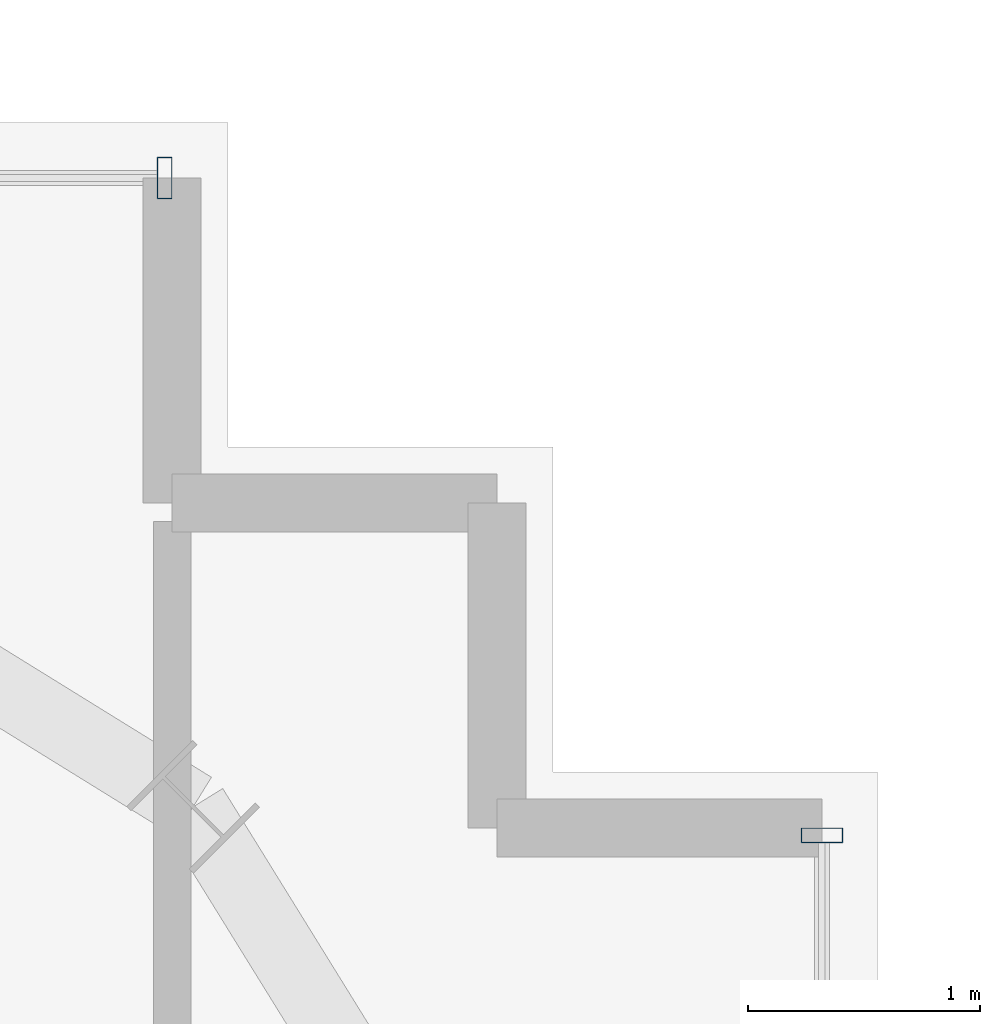
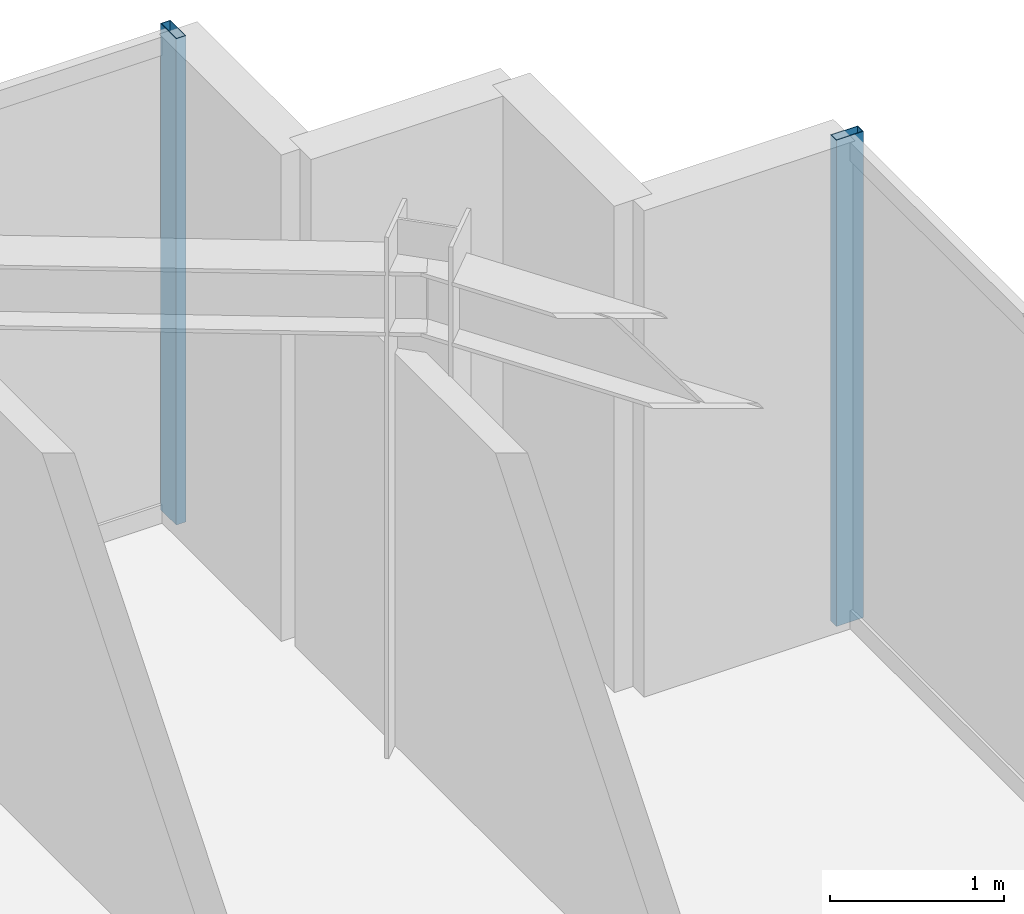
# One storey, part 28 of 36: 2 members, 2 elements without a shape of their own.
"""IFC4 building model written with IfcOpenShell, lengths in metres."""

from ifc_helpers import new_model, si_unit, direction, frame, origin, origin_2d, place, context, subcontext, project, spatial, hollow_rectangle, extrude, source, transform, mapped, material, material_profile, profile_set, type_object, element, aggregate, save


model = new_model("IFC4")

# Units and contexts
model_context = context("Model", 3, precision=1e-05, world=origin(), true_north=direction((0.0, 1.0)))
body_context = subcontext(model_context, "Body", "Model", "MODEL_VIEW")
ifc_project = project(units=[si_unit("LENGTHUNIT", "METRE"), si_unit("AREAUNIT", "SQUARE_METRE"), si_unit("VOLUMEUNIT", "CUBIC_METRE"), si_unit("PLANEANGLEUNIT", "RADIAN"), si_unit("MASSUNIT", "GRAM", prefix="KILO")], contexts=[model_context])

# Site, building, storey
site_placement = place(None, origin())
site = spatial("IfcSite", under=ifc_project, at=site_placement, CompositionType="ELEMENT")
building_placement = place(site_placement, origin())
building = spatial("IfcBuilding", under=site, at=building_placement, Name="Nahalor Promenade Grand Hotel", CompositionType="ELEMENT")
storey_placement = place(building_placement, frame((0.0, 0.0, 219.699951171875)))
storey = spatial("IfcBuildingStorey", under=building, at=storey_placement, Name="L56", CompositionType="ELEMENT", Elevation=219.699951171875)

# Curtain wall, member
ifc_material = material(Name="Anodised Bronze Aluminium EN AW-6063 T6", Category="aluminium")
curtain_wall_type = type_object("IfcCurtainWallType", Name="CW2 Typical Hotel Flush Bronze Unitised Curtain Wall", PredefinedType="USERDEFINED", material=ifc_material)
curtain_wall_1_placement = place(storey_placement, origin())
curtain_wall_1 = element("IfcCurtainWall", 1, at=curtain_wall_1_placement, inside=storey, type_object=curtain_wall_type, Name="L56 Curtain Wall CW-L56-N-3", ObjectType="UNITISED_CURTAIN_WALL", PredefinedType="USERDEFINED")
ifc_material_profile = material_profile(ifc_material, hollow_rectangle(XDim=0.065, YDim=0.18, WallThickness=0.004, at=origin_2d()), Name="CWM 65x180x4")
ifc_profile_set = profile_set([ifc_material_profile], Name="Anodised Bronze Aluminium EN AW-6063 T6")
member_type = type_object("IfcMemberType", Name="CWM2 Typical Bronze Mullion 65x180", PredefinedType="MULLION", material=ifc_profile_set)
shared_shape = source(origin(), body_context, "Body", "SweptSolid", [
    extrude(hollow_rectangle(XDim=0.065, YDim=0.18, WallThickness=0.004, at=origin_2d()), origin(), (0.0, 0.0, 1.0), 3.41015625),
])
member_1_placement = place(storey_placement, frame((21.12744140625, 23.9599609375, 0.0), z_axis=(0.0, 0.0, 1.0), x_axis=(1.0, 0.0, 0.0)))
member_1 = element("IfcMember", 2, at=member_1_placement, type_object=member_type, Name="CW-L56-N-3 Mullion 3", PredefinedType="MULLION", context=body_context, shape_type="MappedRepresentation", body=[
    mapped(shared_shape, transform((0.0, 0.0, 0.0), scale=1.0)),
])
aggregate(curtain_wall_1, [member_1])

curtain_wall_2_placement = place(storey_placement, origin())
curtain_wall_2 = element("IfcCurtainWall", 3, at=curtain_wall_2_placement, inside=storey, type_object=curtain_wall_type, Name="L56 Curtain Wall CW-L56-E-3", ObjectType="UNITISED_CURTAIN_WALL", PredefinedType="USERDEFINED")
member_2_placement = place(storey_placement, frame((23.9599609375, 21.12744140625, 0.0), z_axis=(0.0, 0.0, 1.0), x_axis=(0.0, 1.0, 0.0)))
member_2 = element("IfcMember", 4, at=member_2_placement, type_object=member_type, Name="CW-L56-E-3 Mullion 3", PredefinedType="MULLION", context=body_context, shape_type="MappedRepresentation", body=[
    mapped(shared_shape, transform((0.0, 0.0, 0.0), scale=1.0)),
])
aggregate(curtain_wall_2, [member_2])

save(model, "model.ifc")
